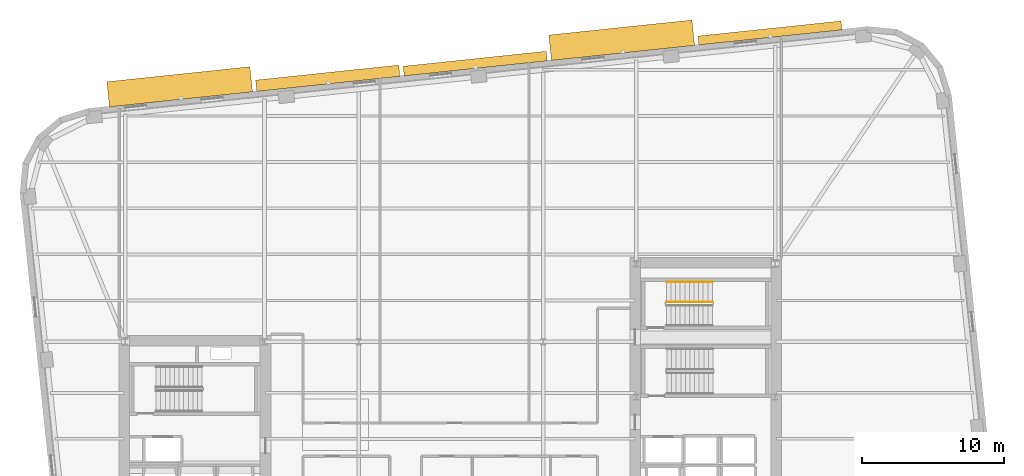
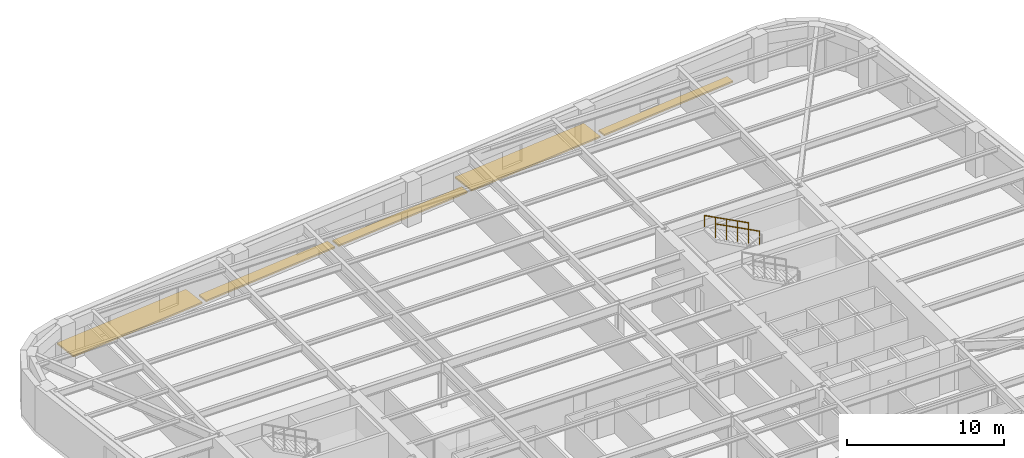
# One storey, part 11 of 11: 5 shading devices, 2 railings.
"""IFC4 building model written with IfcOpenShell, lengths in metres."""

from ifc_helpers import new_model, si_unit, direction, frame, origin, origin_2d, place, context, subcontext, project, spatial, rectangle, circle, extrude, material, type_object, element, save


model = new_model("IFC4")

# Units and contexts
model_context = context("Model", 3, precision=1e-05, world=origin(), true_north=direction((0.0, 1.0)))
body_context = subcontext(model_context, "Body", "Model", "MODEL_VIEW")
ifc_project = project(units=[si_unit("LENGTHUNIT", "METRE"), si_unit("AREAUNIT", "SQUARE_METRE"), si_unit("VOLUMEUNIT", "CUBIC_METRE"), si_unit("PLANEANGLEUNIT", "RADIAN"), si_unit("MASSUNIT", "GRAM", prefix="KILO")], contexts=[model_context])

# Site, building, storey
site_placement = place(None, origin())
site = spatial("IfcSite", under=ifc_project, at=site_placement, CompositionType="ELEMENT")
building_placement = place(site_placement, origin())
building = spatial("IfcBuilding", under=site, at=building_placement, Name="Kolvaren Arena Tower", CompositionType="ELEMENT")
storey_placement = place(building_placement, frame((0.0, 0.0, 103.449951171875)))
storey = spatial("IfcBuildingStorey", under=building, at=storey_placement, Name="L23", CompositionType="ELEMENT", Elevation=103.449951171875)

# Railings
ifc_material_1 = material(Name="Painted galvanized steel", Category="steel")
railing_type_1 = type_object("IfcRailingType", Name="GUARD-ST-110", PredefinedType="GUARDRAIL", material=ifc_material_1)
railing_1_placement = place(storey_placement, frame((55.919921875, 36.64990234375, 2.04541015625)))
element("IfcRailing", 1, at=railing_1_placement, inside=storey, type_object=railing_type_1, Name="L23 ST-E2 stair guard 3", PredefinedType="GUARDRAIL", context=body_context, shape_type="SweptSolid", body=[
    extrude(circle(Radius=0.02392578125, at=origin_2d()), frame((0.0, 0.0, 1.076171875), z_axis=(-0.884993431791, 0.0, 0.465603506952), x_axis=(0.0, -1.0, 0.0)), (0.0, 0.0, 1.0), 3.6611328125),
    extrude(circle(Radius=0.02099609375, at=origin_2d()), origin(), (0.0, 0.0, 1.0), 1.052001953125),
    extrude(circle(Radius=0.02099609375, at=origin_2d()), frame((-0.81005859375, 0.0, 0.42626953125)), (0.0, 0.0, 1.0), 1.052001953125),
    extrude(circle(Radius=0.02099609375, at=origin_2d()), frame((-1.6201171875, 0.0, 0.852294921875)), (0.0, 0.0, 1.0), 1.052001953125),
    extrude(circle(Radius=0.02099609375, at=origin_2d()), frame((-2.429931640625, 0.0, 1.2783203125)), (0.0, 0.0, 1.0), 1.052001953125),
    extrude(circle(Radius=0.02099609375, at=origin_2d()), frame((-3.239990234375, 0.0, 1.70458984375)), (0.0, 0.0, 1.0), 1.052001953125),
])
ifc_material_2 = material(Name="Brushed stainless steel handrail", Category="steel")
railing_type_2 = type_object("IfcRailingType", Name="HRAIL-900", PredefinedType="HANDRAIL", material=ifc_material_2)
railing_2_placement = place(storey_placement, frame((55.919921875, 38.050048828125, 2.04541015625)))
element("IfcRailing", 2, at=railing_2_placement, inside=storey, type_object=railing_type_2, Name="L23 ST-E2 stair handrail 2", PredefinedType="HANDRAIL", context=body_context, shape_type="SweptSolid", body=[
    extrude(circle(Radius=0.02392578125, at=origin_2d()), frame((0.0, 0.0, 0.8759765625), z_axis=(-0.884993431791, 0.0, 0.465603506952), x_axis=(0.0, -1.0, 0.0)), (0.0, 0.0, 1.0), 3.6611328125),
    extrude(circle(Radius=0.02099609375, at=origin_2d()), origin(), (0.0, 0.0, 1.0), 0.851806640625),
    extrude(circle(Radius=0.02099609375, at=origin_2d()), frame((-0.81005859375, 0.0, 0.42626953125)), (0.0, 0.0, 1.0), 0.851806640625),
    extrude(circle(Radius=0.02099609375, at=origin_2d()), frame((-1.6201171875, 0.0, 0.852294921875)), (0.0, 0.0, 1.0), 0.851806640625),
    extrude(circle(Radius=0.02099609375, at=origin_2d()), frame((-2.429931640625, 0.0, 1.2783203125)), (0.0, 0.0, 1.0), 0.851806640625),
    extrude(circle(Radius=0.02099609375, at=origin_2d()), frame((-3.239990234375, 0.0, 1.70458984375)), (0.0, 0.0, 1.0), 0.851806640625),
])

# Shading devices
ifc_material_3 = material(Name="Architectural precast GFRC and anodised aluminium sunshade", Category="concrete")
shading_device_type_1 = type_object("IfcShadingDeviceType", Name="SHAD-SINE-A", PredefinedType="USERDEFINED", material=ifc_material_3)
shading_device_1_placement = place(storey_placement, frame((28.81689453125, 52.414794921875, -0.139892578125), z_axis=(0.0, 0.0, 1.0), x_axis=(0.994522077803, 0.104526727499, 0.0)))
element("IfcShadingDevice", 3, at=shading_device_1_placement, inside=storey, type_object=shading_device_type_1, Name="Sinusoidal Slab-Edge Sunshade Louvre (L23)", ObjectType="LOUVRE", PredefinedType="USERDEFINED", context=body_context, shape_type="SweptSolid", body=[
    extrude(rectangle(XDim=10.139892578125, YDim=0.80029296875, at=origin_2d()), origin(), (0.0, 0.0, 1.0), 0.1201171875),
])
shading_device_2_placement = place(storey_placement, frame((39.205810546875, 53.4482421875, -0.139892578125), z_axis=(0.0, 0.0, 1.0), x_axis=(0.994522077803, 0.104526727499, 0.0)))
element("IfcShadingDevice", 4, at=shading_device_2_placement, inside=storey, type_object=shading_device_type_1, Name="Sinusoidal Slab-Edge Sunshade Louvre (L23)", ObjectType="LOUVRE", PredefinedType="USERDEFINED", context=body_context, shape_type="SweptSolid", body=[
    extrude(rectangle(XDim=10.139892578125, YDim=0.68408203125, at=origin_2d()), origin(), (0.0, 0.0, 1.0), 0.1201171875),
])
shading_device_3_placement = place(storey_placement, frame((59.97412109375, 55.605224609375, -0.139892578125), z_axis=(0.0, 0.0, 1.0), x_axis=(0.994522077803, 0.104526727499, 0.0)))
element("IfcShadingDevice", 5, at=shading_device_3_placement, inside=storey, type_object=shading_device_type_1, Name="Sinusoidal Slab-Edge Sunshade Louvre (L23)", ObjectType="LOUVRE", PredefinedType="USERDEFINED", context=body_context, shape_type="SweptSolid", body=[
    extrude(rectangle(XDim=10.139892578125, YDim=0.6328125, at=origin_2d()), origin(), (0.0, 0.0, 1.0), 0.1201171875),
])
shading_device_type_2 = type_object("IfcShadingDeviceType", Name="SHAD-SINE-B", PredefinedType="JALOUSIE", material=ifc_material_3)
shading_device_4_placement = place(storey_placement, frame((18.3828125, 51.8115234375, -0.139892578125), z_axis=(0.0, 0.0, 1.0), x_axis=(0.994522077803, 0.104526727499, 0.0)))
element("IfcShadingDevice", 6, at=shading_device_4_placement, inside=storey, type_object=shading_device_type_2, Name="Sinusoidal Slab-Edge Sunshade Louvre (L23)", PredefinedType="JALOUSIE", context=body_context, shape_type="SweptSolid", body=[
    extrude(rectangle(XDim=10.139892578125, YDim=1.781982421875, at=origin_2d()), origin(), (0.0, 0.0, 1.0), 0.1201171875),
])
shading_device_5_placement = place(storey_placement, frame((49.5302734375, 55.093994140625, -0.139892578125), z_axis=(0.0, 0.0, 1.0), x_axis=(0.994522077803, 0.104526727499, 0.0)))
element("IfcShadingDevice", 7, at=shading_device_5_placement, inside=storey, type_object=shading_device_type_2, Name="Sinusoidal Slab-Edge Sunshade Louvre (L23)", PredefinedType="JALOUSIE", context=body_context, shape_type="SweptSolid", body=[
    extrude(rectangle(XDim=10.139892578125, YDim=1.79931640625, at=origin_2d()), origin(), (0.0, 0.0, 1.0), 0.1201171875),
])

save(model, "model.ifc")
